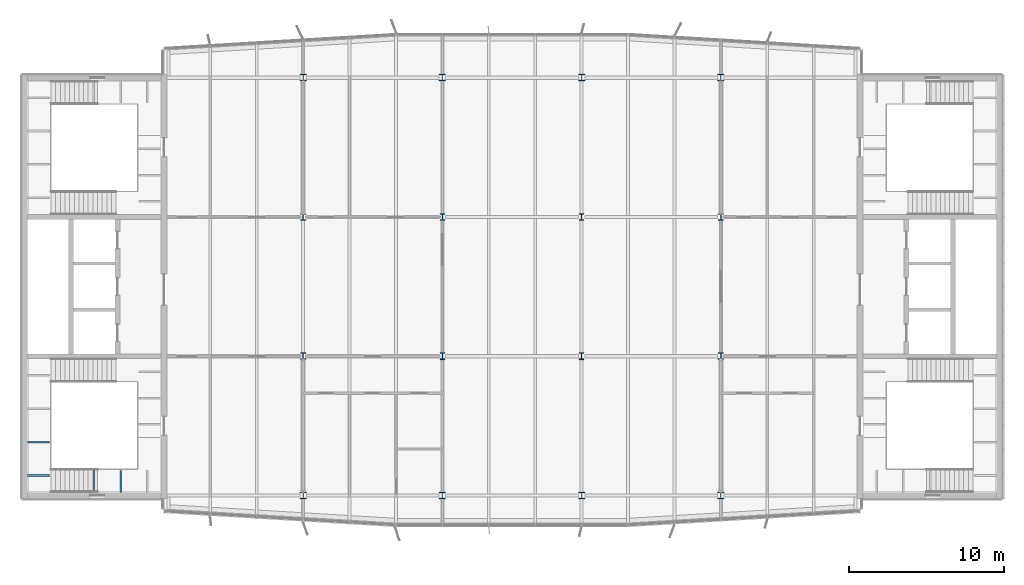
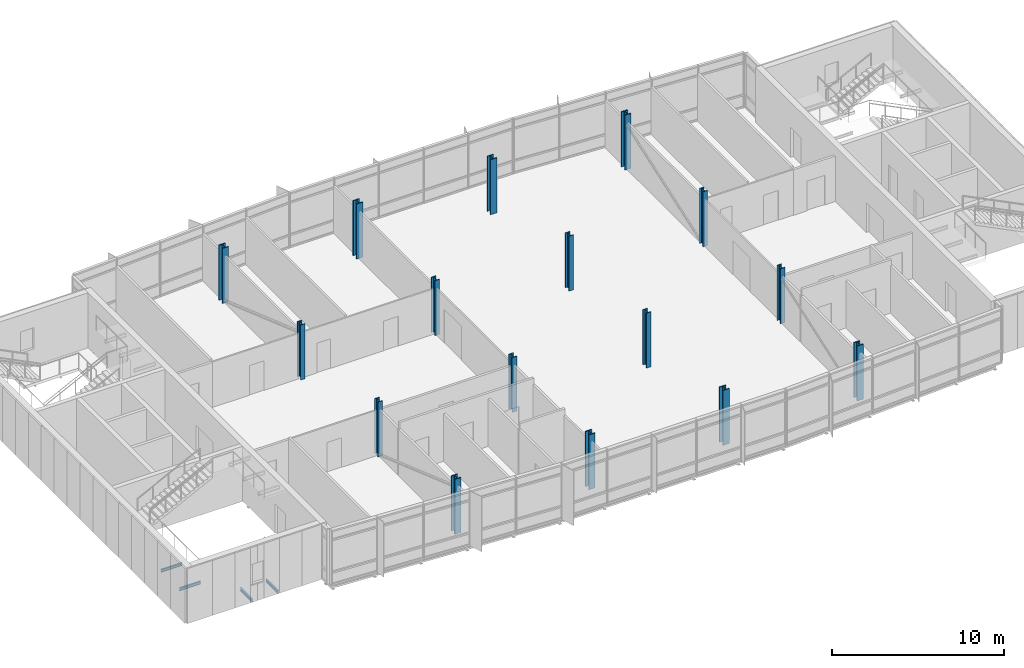
# One storey, part 1 of 20: 16 columns, 4 beams.
"""IFC4 building model written with IfcOpenShell, lengths in metres."""

from ifc_helpers import new_model, si_unit, direction, frame, origin, origin_2d, place, context, subcontext, project, spatial, i_section, extrude, material, material_profile, profile_set, type_object, element, save


model = new_model("IFC4")

# Units and contexts
model_context = context("Model", 3, precision=1e-05, world=origin(), true_north=direction((0.0, 1.0)))
body_context = subcontext(model_context, "Body", "Model", "MODEL_VIEW")
ifc_project = project(units=[si_unit("LENGTHUNIT", "METRE"), si_unit("AREAUNIT", "SQUARE_METRE"), si_unit("VOLUMEUNIT", "CUBIC_METRE"), si_unit("PLANEANGLEUNIT", "RADIAN"), si_unit("MASSUNIT", "GRAM", prefix="KILO")], contexts=[model_context])

# Site, building, storey
site_placement = place(None, origin())
site = spatial("IfcSite", under=ifc_project, at=site_placement, CompositionType="ELEMENT")
building_placement = place(site_placement, origin())
building = spatial("IfcBuilding", under=site, at=building_placement, Name="Azimuth Sports and Learning Centre", CompositionType="ELEMENT")
storey_placement = place(building_placement, frame((0.0, 0.0, 44.10009765625)))
storey = spatial("IfcBuildingStorey", under=building, at=storey_placement, Name="L09", CompositionType="ELEMENT", Elevation=44.10009765625)

# Columns
ifc_material_1 = material(Name="Steel S460", Category="steel")
ifc_material_profile_1 = material_profile(ifc_material_1, i_section(OverallWidth=0.41796875, OverallDepth=0.455078125, WebThickness=0.0419921875, FlangeThickness=0.067626953125, FilletRadius=0.014892578125, at=origin_2d()), Name="HD 400x551")
ifc_profile_set_1 = profile_set([ifc_material_profile_1], Name="Steel S460")
column_type_1 = type_object("IfcColumnType", Name="Column HD 400x551", PredefinedType="COLUMN", material=ifc_profile_set_1)
for number, where, z_axis, x_axis, name in (
    (1, (72.0, 90.0, 0.0), (0.0, 0.0, 1.0), (1.0, 0.0, 0.0), "Hall column 9L L09"),
    (2, (81.0, 90.0, 0.0), (0.0, 0.0, 1.0), (1.0, 0.0, 0.0), "Hall column 10L L09"),
    (3, (90.0, 90.0, 0.0), (0.0, 0.0, 1.0), (1.0, 0.0, 0.0), "Hall column 11L L09"),
    (4, (99.0, 90.0, 0.0), (0.0, 0.0, 1.0), (1.0, 0.0, 0.0), "Hall column 12L L09"),
    (5, (72.0, 117.0, 0.0), (0.0, 0.0, 1.0), (1.0, 0.0, 0.0), "Hall column 9P L09"),
    (6, (81.0, 117.0, 0.0), (0.0, 0.0, 1.0), (1.0, 0.0, 0.0), "Hall column 10P L09"),
    (7, (90.0, 117.0, 0.0), (0.0, 0.0, 1.0), (1.0, 0.0, 0.0), "Hall column 11P L09"),
    (8, (99.0, 117.0, 0.0), (0.0, 0.0, 1.0), (1.0, 0.0, 0.0), "Hall column 12P L09"),
):
    element("IfcColumn", number, at=place(storey_placement, frame(where, z_axis=z_axis, x_axis=x_axis)), inside=storey, type_object=column_type_1, Name=name, PredefinedType="COLUMN", context=body_context, shape_type="SweptSolid", body=[
        extrude(i_section(OverallWidth=0.41796875, OverallDepth=0.455078125, WebThickness=0.0419921875, FlangeThickness=0.067626953125, FilletRadius=0.014892578125, at=origin_2d()), origin(), (0.0, 0.0, 1.0), 3.89990234375),
    ])
ifc_material_2 = material(Name="Steel S355", Category="steel")
ifc_material_profile_2 = material_profile(ifc_material_2, i_section(OverallWidth=0.306884765625, OverallDepth=0.431884765625, WebThickness=0.02099609375, FlangeThickness=0.0400390625, FilletRadius=0.027099609375, at=origin_2d()), Name="HEM 400")
ifc_profile_set_2 = profile_set([ifc_material_profile_2], Name="Steel S355")
column_type_2 = type_object("IfcColumnType", Name="Column HEM 400", PredefinedType="COLUMN", material=ifc_profile_set_2)
for number, where, z_axis, x_axis, name in (
    (9, (72.0, 99.0, 0.0), (0.0, 0.0, 1.0), (1.0, 0.0, 0.0), "Tower column 9M L09"),
    (10, (81.0, 99.0, 0.0), (0.0, 0.0, 1.0), (1.0, 0.0, 0.0), "Tower column 10M L09"),
    (11, (90.0, 99.0, 0.0), (0.0, 0.0, 1.0), (1.0, 0.0, 0.0), "Tower column 11M L09"),
    (12, (99.0, 99.0, 0.0), (0.0, 0.0, 1.0), (1.0, 0.0, 0.0), "Tower column 12M L09"),
    (13, (72.0, 108.0, 0.0), (0.0, 0.0, 1.0), (1.0, 0.0, 0.0), "Tower column 9N L09"),
    (14, (81.0, 108.0, 0.0), (0.0, 0.0, 1.0), (1.0, 0.0, 0.0), "Tower column 10N L09"),
    (15, (90.0, 108.0, 0.0), (0.0, 0.0, 1.0), (1.0, 0.0, 0.0), "Tower column 11N L09"),
    (16, (99.0, 108.0, 0.0), (0.0, 0.0, 1.0), (1.0, 0.0, 0.0), "Tower column 12N L09"),
):
    element("IfcColumn", number, at=place(storey_placement, frame(where, z_axis=z_axis, x_axis=x_axis)), inside=storey, type_object=column_type_2, Name=name, PredefinedType="COLUMN", context=body_context, shape_type="SweptSolid", body=[
        extrude(i_section(OverallWidth=0.306884765625, OverallDepth=0.431884765625, WebThickness=0.02099609375, FlangeThickness=0.0400390625, FilletRadius=0.027099609375, at=origin_2d()), origin(), (0.0, 0.0, 1.0), 3.89990234375),
    ])

# Beams
ifc_material_3 = material(Name="Steel S355", Category="steel")
ifc_material_profile_3 = material_profile(ifc_material_3, i_section(OverallWidth=0.10009765625, OverallDepth=0.199951171875, WebThickness=0.005615234375, FlangeThickness=0.008544921875, FilletRadius=0.011962890625, at=origin_2d()), Name="IPE 200")
ifc_profile_set_3 = profile_set([ifc_material_profile_3], Name="Steel S355")
beam_type = type_object("IfcBeamType", Name="Beam IPE 200", PredefinedType="BEAM", material=ifc_profile_set_3)
for number, where, z_axis, x_axis, name in (
    (17, (58.473388671875, 90.199951171875, -0.300048828125), (0.0, 1.0, 0.0), (-1.0, 0.0, 0.0), "Landing bracket W1 L09 89"),
    (18, (60.199951171875, 90.199951171875, -0.300048828125), (0.0, 1.0, 0.0), (-1.0, 0.0, 0.0), "Landing bracket W1 L09 90"),
    (19, (54.199951171875, 91.288818359375, 1.349853515625), (1.0, 0.0, 0.0), (0.0, 1.0, 0.0), "Landing bracket W1 L09 92"),
    (20, (54.199951171875, 93.4462890625, 1.349853515625), (1.0, 0.0, 0.0), (0.0, 1.0, 0.0), "Landing bracket W1 L09 93"),
):
    element("IfcBeam", number, at=place(storey_placement, frame(where, z_axis=z_axis, x_axis=x_axis)), inside=storey, type_object=beam_type, Name=name, PredefinedType="BEAM", context=body_context, shape_type="SweptSolid", body=[
        extrude(i_section(OverallWidth=0.10009765625, OverallDepth=0.199951171875, WebThickness=0.005615234375, FlangeThickness=0.008544921875, FilletRadius=0.011962890625, at=origin_2d()), origin(), (0.0, 0.0, 1.0), 1.41015625),
    ])

save(model, "model.ifc")
